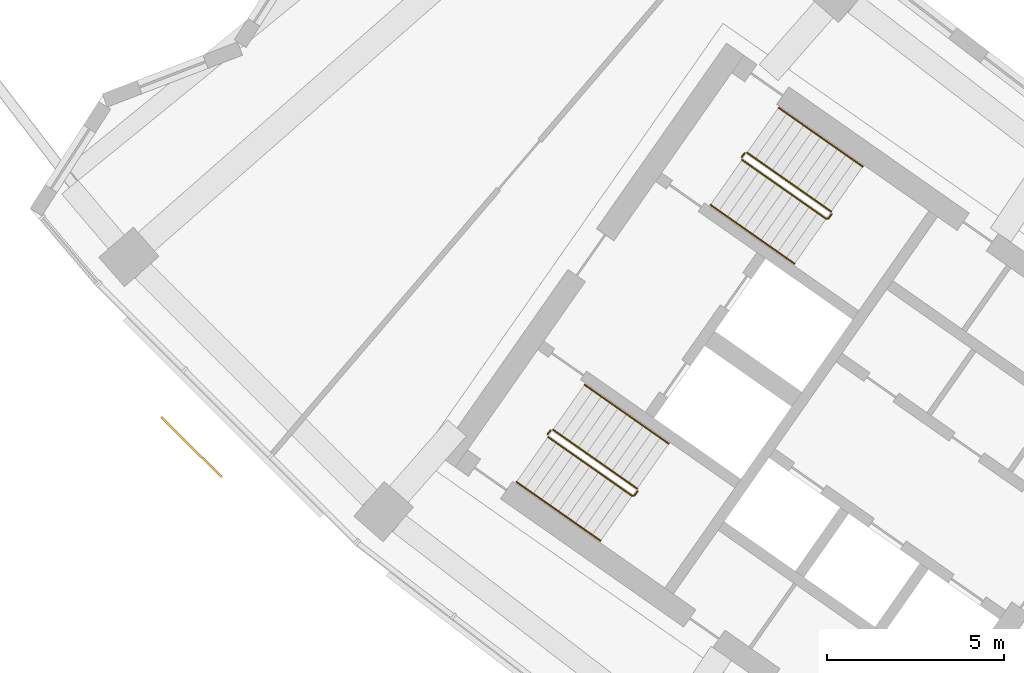
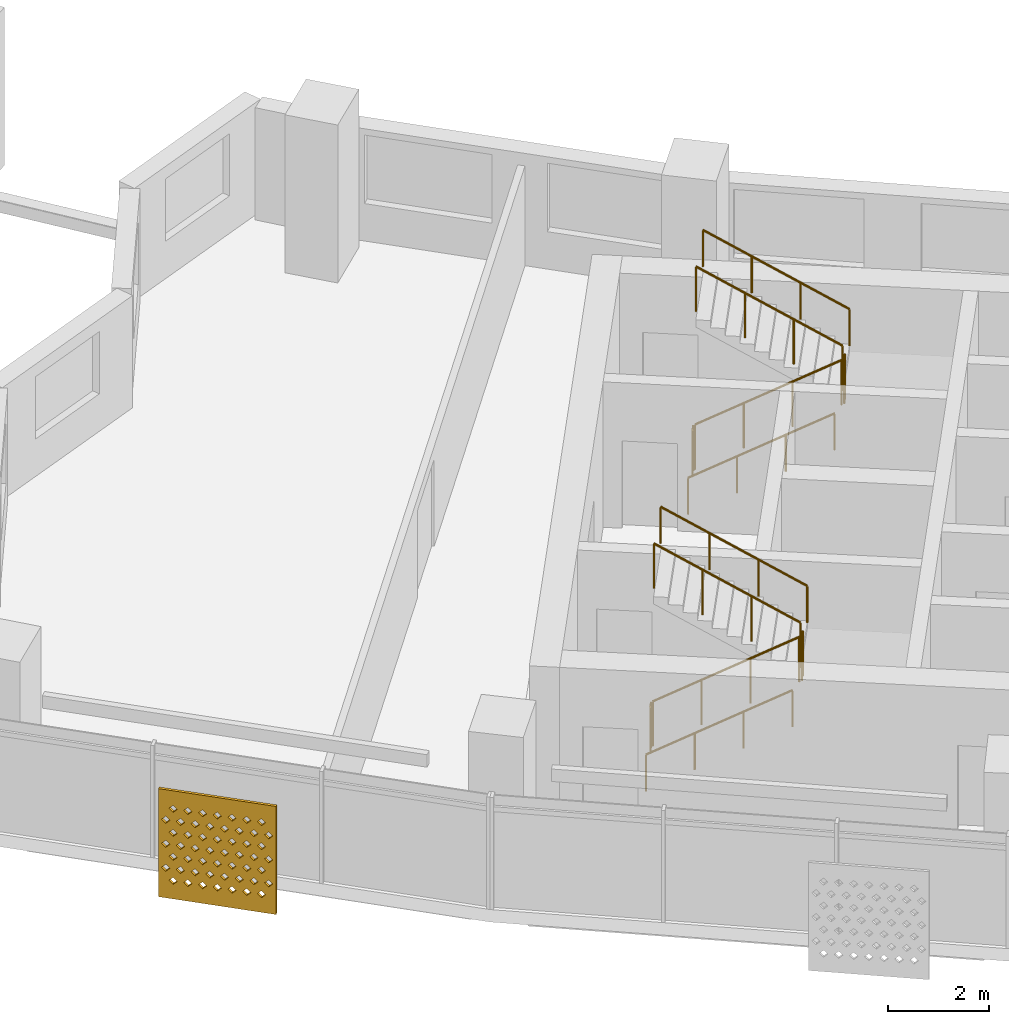
# One storey, part 23 of 27: 10 railings, 1 shading device.
"""IFC4 building model written with IfcOpenShell, lengths in metres."""

from ifc_helpers import new_model, si_unit, direction, frame, origin, origin_2d, place, context, subcontext, project, spatial, polyline, circle, outline, extrude, material, material_profile, profile_set, type_object, element, save


model = new_model("IFC4")

# Units and contexts
model_context = context("Model", 3, precision=1e-05, world=origin(), true_north=direction((0.0, 1.0)))
body_context = subcontext(model_context, "Body", "Model", "MODEL_VIEW")
ifc_project = project(units=[si_unit("LENGTHUNIT", "METRE"), si_unit("AREAUNIT", "SQUARE_METRE"), si_unit("VOLUMEUNIT", "CUBIC_METRE"), si_unit("PLANEANGLEUNIT", "RADIAN"), si_unit("MASSUNIT", "GRAM", prefix="KILO")], contexts=[model_context])

# Site, building, storey
site_placement = place(None, origin())
site = spatial("IfcSite", under=ifc_project, at=site_placement, CompositionType="ELEMENT")
building_placement = place(site_placement, origin())
building = spatial("IfcBuilding", under=site, at=building_placement, Name="Qamariyya Broadcast Tower", CompositionType="ELEMENT")
storey_placement = place(building_placement, frame((0.0, 0.0, 175.89990234375)))
storey = spatial("IfcBuildingStorey", under=building, at=storey_placement, Name="L41", CompositionType="ELEMENT", Elevation=175.89990234375)

# Shading device
ifc_material_1 = material(Name="Perforated glazed terracotta", Category="masonry")
ifc_material_profile = material_profile(ifc_material_1, outline(polyline([(-1.199951171875, -1.300048828125), (1.199951171875, -1.300048828125), (1.199951171875, 1.300048828125), (-1.199951171875, 1.300048828125), (-1.199951171875, -1.300048828125)]), holes=[polyline([(-0.81494140625, -0.86669921875), (-0.89990234375, -0.78173828125), (-0.985107421875, -0.86669921875), (-0.89990234375, -0.95166015625), (-0.81494140625, -0.86669921875)]), polyline([(-0.514892578125, -0.86669921875), (-0.60009765625, -0.78173828125), (-0.68505859375, -0.86669921875), (-0.60009765625, -0.95166015625), (-0.514892578125, -0.86669921875)]), polyline([(-0.215087890625, -0.86669921875), (-0.300048828125, -0.78173828125), (-0.385009765625, -0.86669921875), (-0.300048828125, -0.95166015625), (-0.215087890625, -0.86669921875)]), polyline([(0.0849609375, -0.86669921875), (0.0, -0.78173828125), (-0.0849609375, -0.86669921875), (0.0, -0.95166015625), (0.0849609375, -0.86669921875)]), polyline([(0.385009765625, -0.86669921875), (0.300048828125, -0.78173828125), (0.215087890625, -0.86669921875), (0.300048828125, -0.95166015625), (0.385009765625, -0.86669921875)]), polyline([(0.68505859375, -0.86669921875), (0.60009765625, -0.78173828125), (0.514892578125, -0.86669921875), (0.60009765625, -0.95166015625), (0.68505859375, -0.86669921875)]), polyline([(0.985107421875, -0.86669921875), (0.89990234375, -0.78173828125), (0.81494140625, -0.86669921875), (0.89990234375, -0.95166015625), (0.985107421875, -0.86669921875)]), polyline([(-0.965087890625, -0.577880859375), (-1.050048828125, -0.49267578125), (-1.135009765625, -0.577880859375), (-1.050048828125, -0.662841796875), (-0.965087890625, -0.577880859375)]), polyline([(-0.6650390625, -0.577880859375), (-0.75, -0.49267578125), (-0.8349609375, -0.577880859375), (-0.75, -0.662841796875), (-0.6650390625, -0.577880859375)]), polyline([(-0.364990234375, -0.577880859375), (-0.449951171875, -0.49267578125), (-0.534912109375, -0.577880859375), (-0.449951171875, -0.662841796875), (-0.364990234375, -0.577880859375)]), polyline([(-0.06494140625, -0.577880859375), (-0.14990234375, -0.49267578125), (-0.235107421875, -0.577880859375), (-0.14990234375, -0.662841796875), (-0.06494140625, -0.577880859375)]), polyline([(0.235107421875, -0.577880859375), (0.14990234375, -0.49267578125), (0.06494140625, -0.577880859375), (0.14990234375, -0.662841796875), (0.235107421875, -0.577880859375)]), polyline([(0.534912109375, -0.577880859375), (0.449951171875, -0.49267578125), (0.364990234375, -0.577880859375), (0.449951171875, -0.662841796875), (0.534912109375, -0.577880859375)]), polyline([(0.8349609375, -0.577880859375), (0.75, -0.49267578125), (0.6650390625, -0.577880859375), (0.75, -0.662841796875), (0.8349609375, -0.577880859375)]), polyline([(1.135009765625, -0.577880859375), (1.050048828125, -0.49267578125), (0.965087890625, -0.577880859375), (1.050048828125, -0.662841796875), (1.135009765625, -0.577880859375)]), polyline([(-0.81494140625, -0.288818359375), (-0.89990234375, -0.203857421875), (-0.985107421875, -0.288818359375), (-0.89990234375, -0.373779296875), (-0.81494140625, -0.288818359375)]), polyline([(-0.514892578125, -0.288818359375), (-0.60009765625, -0.203857421875), (-0.68505859375, -0.288818359375), (-0.60009765625, -0.373779296875), (-0.514892578125, -0.288818359375)]), polyline([(-0.215087890625, -0.288818359375), (-0.300048828125, -0.203857421875), (-0.385009765625, -0.288818359375), (-0.300048828125, -0.373779296875), (-0.215087890625, -0.288818359375)]), polyline([(0.0849609375, -0.288818359375), (0.0, -0.203857421875), (-0.0849609375, -0.288818359375), (0.0, -0.373779296875), (0.0849609375, -0.288818359375)]), polyline([(0.385009765625, -0.288818359375), (0.300048828125, -0.203857421875), (0.215087890625, -0.288818359375), (0.300048828125, -0.373779296875), (0.385009765625, -0.288818359375)]), polyline([(0.68505859375, -0.288818359375), (0.60009765625, -0.203857421875), (0.514892578125, -0.288818359375), (0.60009765625, -0.373779296875), (0.68505859375, -0.288818359375)]), polyline([(0.985107421875, -0.288818359375), (0.89990234375, -0.203857421875), (0.81494140625, -0.288818359375), (0.89990234375, -0.373779296875), (0.985107421875, -0.288818359375)]), polyline([(-0.965087890625, 0.0), (-1.050048828125, 0.0849609375), (-1.135009765625, 0.0), (-1.050048828125, -0.0849609375), (-0.965087890625, 0.0)]), polyline([(-0.6650390625, 0.0), (-0.75, 0.0849609375), (-0.8349609375, 0.0), (-0.75, -0.0849609375), (-0.6650390625, 0.0)]), polyline([(-0.364990234375, 0.0), (-0.449951171875, 0.0849609375), (-0.534912109375, 0.0), (-0.449951171875, -0.0849609375), (-0.364990234375, 0.0)]), polyline([(-0.06494140625, 0.0), (-0.14990234375, 0.0849609375), (-0.235107421875, 0.0), (-0.14990234375, -0.0849609375), (-0.06494140625, 0.0)]), polyline([(0.235107421875, 0.0), (0.14990234375, 0.0849609375), (0.06494140625, 0.0), (0.14990234375, -0.0849609375), (0.235107421875, 0.0)]), polyline([(0.534912109375, 0.0), (0.449951171875, 0.0849609375), (0.364990234375, 0.0), (0.449951171875, -0.0849609375), (0.534912109375, 0.0)]), polyline([(0.8349609375, 0.0), (0.75, 0.0849609375), (0.6650390625, 0.0), (0.75, -0.0849609375), (0.8349609375, 0.0)]), polyline([(1.135009765625, 0.0), (1.050048828125, 0.0849609375), (0.965087890625, 0.0), (1.050048828125, -0.0849609375), (1.135009765625, 0.0)]), polyline([(-0.81494140625, 0.288818359375), (-0.89990234375, 0.373779296875), (-0.985107421875, 0.288818359375), (-0.89990234375, 0.203857421875), (-0.81494140625, 0.288818359375)]), polyline([(-0.514892578125, 0.288818359375), (-0.60009765625, 0.373779296875), (-0.68505859375, 0.288818359375), (-0.60009765625, 0.203857421875), (-0.514892578125, 0.288818359375)]), polyline([(-0.215087890625, 0.288818359375), (-0.300048828125, 0.373779296875), (-0.385009765625, 0.288818359375), (-0.300048828125, 0.203857421875), (-0.215087890625, 0.288818359375)]), polyline([(0.0849609375, 0.288818359375), (0.0, 0.373779296875), (-0.0849609375, 0.288818359375), (0.0, 0.203857421875), (0.0849609375, 0.288818359375)]), polyline([(0.385009765625, 0.288818359375), (0.300048828125, 0.373779296875), (0.215087890625, 0.288818359375), (0.300048828125, 0.203857421875), (0.385009765625, 0.288818359375)]), polyline([(0.68505859375, 0.288818359375), (0.60009765625, 0.373779296875), (0.514892578125, 0.288818359375), (0.60009765625, 0.203857421875), (0.68505859375, 0.288818359375)]), polyline([(0.985107421875, 0.288818359375), (0.89990234375, 0.373779296875), (0.81494140625, 0.288818359375), (0.89990234375, 0.203857421875), (0.985107421875, 0.288818359375)]), polyline([(-0.965087890625, 0.577880859375), (-1.050048828125, 0.662841796875), (-1.135009765625, 0.577880859375), (-1.050048828125, 0.49267578125), (-0.965087890625, 0.577880859375)]), polyline([(-0.6650390625, 0.577880859375), (-0.75, 0.662841796875), (-0.8349609375, 0.577880859375), (-0.75, 0.49267578125), (-0.6650390625, 0.577880859375)]), polyline([(-0.364990234375, 0.577880859375), (-0.449951171875, 0.662841796875), (-0.534912109375, 0.577880859375), (-0.449951171875, 0.49267578125), (-0.364990234375, 0.577880859375)]), polyline([(-0.06494140625, 0.577880859375), (-0.14990234375, 0.662841796875), (-0.235107421875, 0.577880859375), (-0.14990234375, 0.49267578125), (-0.06494140625, 0.577880859375)]), polyline([(0.235107421875, 0.577880859375), (0.14990234375, 0.662841796875), (0.06494140625, 0.577880859375), (0.14990234375, 0.49267578125), (0.235107421875, 0.577880859375)]), polyline([(0.534912109375, 0.577880859375), (0.449951171875, 0.662841796875), (0.364990234375, 0.577880859375), (0.449951171875, 0.49267578125), (0.534912109375, 0.577880859375)]), polyline([(0.8349609375, 0.577880859375), (0.75, 0.662841796875), (0.6650390625, 0.577880859375), (0.75, 0.49267578125), (0.8349609375, 0.577880859375)]), polyline([(1.135009765625, 0.577880859375), (1.050048828125, 0.662841796875), (0.965087890625, 0.577880859375), (1.050048828125, 0.49267578125), (1.135009765625, 0.577880859375)]), polyline([(-0.81494140625, 0.86669921875), (-0.89990234375, 0.95166015625), (-0.985107421875, 0.86669921875), (-0.89990234375, 0.78173828125), (-0.81494140625, 0.86669921875)]), polyline([(-0.514892578125, 0.86669921875), (-0.60009765625, 0.95166015625), (-0.68505859375, 0.86669921875), (-0.60009765625, 0.78173828125), (-0.514892578125, 0.86669921875)]), polyline([(-0.215087890625, 0.86669921875), (-0.300048828125, 0.95166015625), (-0.385009765625, 0.86669921875), (-0.300048828125, 0.78173828125), (-0.215087890625, 0.86669921875)]), polyline([(0.0849609375, 0.86669921875), (0.0, 0.95166015625), (-0.0849609375, 0.86669921875), (0.0, 0.78173828125), (0.0849609375, 0.86669921875)]), polyline([(0.385009765625, 0.86669921875), (0.300048828125, 0.95166015625), (0.215087890625, 0.86669921875), (0.300048828125, 0.78173828125), (0.385009765625, 0.86669921875)]), polyline([(0.68505859375, 0.86669921875), (0.60009765625, 0.95166015625), (0.514892578125, 0.86669921875), (0.60009765625, 0.78173828125), (0.68505859375, 0.86669921875)]), polyline([(0.985107421875, 0.86669921875), (0.89990234375, 0.95166015625), (0.81494140625, 0.86669921875), (0.89990234375, 0.78173828125), (0.985107421875, 0.86669921875)])]))
ifc_profile_set = profile_set([ifc_material_profile], Name="Perforated glazed terracotta")
shading_device_type = type_object("IfcShadingDeviceType", Name="Perforated terracotta screen 2400 x 2600", PredefinedType="USERDEFINED", material=ifc_profile_set)
shading_device_placement = place(storey_placement, frame((-56.66943359375, -56.6103515625, 1.35009765625), z_axis=(-0.705066081692, -0.709141608176, 0.0), x_axis=(0.709141608176, -0.705066081692, 0.0)))
element("IfcShadingDevice", 1, at=shading_device_placement, inside=storey, type_object=shading_device_type, Name="e-scr-L41-01-1", ObjectType="SCREEN", PredefinedType="USERDEFINED", context=body_context, shape_type="SweptSolid", body=[
    extrude(outline(polyline([(-1.199951171875, -1.300048828125), (1.199951171875, -1.300048828125), (1.199951171875, 1.300048828125), (-1.199951171875, 1.300048828125), (-1.199951171875, -1.300048828125)]), holes=[polyline([(-0.81494140625, -0.86669921875), (-0.89990234375, -0.78173828125), (-0.985107421875, -0.86669921875), (-0.89990234375, -0.95166015625), (-0.81494140625, -0.86669921875)]), polyline([(-0.514892578125, -0.86669921875), (-0.60009765625, -0.78173828125), (-0.68505859375, -0.86669921875), (-0.60009765625, -0.95166015625), (-0.514892578125, -0.86669921875)]), polyline([(-0.215087890625, -0.86669921875), (-0.300048828125, -0.78173828125), (-0.385009765625, -0.86669921875), (-0.300048828125, -0.95166015625), (-0.215087890625, -0.86669921875)]), polyline([(0.0849609375, -0.86669921875), (0.0, -0.78173828125), (-0.0849609375, -0.86669921875), (0.0, -0.95166015625), (0.0849609375, -0.86669921875)]), polyline([(0.385009765625, -0.86669921875), (0.300048828125, -0.78173828125), (0.215087890625, -0.86669921875), (0.300048828125, -0.95166015625), (0.385009765625, -0.86669921875)]), polyline([(0.68505859375, -0.86669921875), (0.60009765625, -0.78173828125), (0.514892578125, -0.86669921875), (0.60009765625, -0.95166015625), (0.68505859375, -0.86669921875)]), polyline([(0.985107421875, -0.86669921875), (0.89990234375, -0.78173828125), (0.81494140625, -0.86669921875), (0.89990234375, -0.95166015625), (0.985107421875, -0.86669921875)]), polyline([(-0.965087890625, -0.577880859375), (-1.050048828125, -0.49267578125), (-1.135009765625, -0.577880859375), (-1.050048828125, -0.662841796875), (-0.965087890625, -0.577880859375)]), polyline([(-0.6650390625, -0.577880859375), (-0.75, -0.49267578125), (-0.8349609375, -0.577880859375), (-0.75, -0.662841796875), (-0.6650390625, -0.577880859375)]), polyline([(-0.364990234375, -0.577880859375), (-0.449951171875, -0.49267578125), (-0.534912109375, -0.577880859375), (-0.449951171875, -0.662841796875), (-0.364990234375, -0.577880859375)]), polyline([(-0.06494140625, -0.577880859375), (-0.14990234375, -0.49267578125), (-0.235107421875, -0.577880859375), (-0.14990234375, -0.662841796875), (-0.06494140625, -0.577880859375)]), polyline([(0.235107421875, -0.577880859375), (0.14990234375, -0.49267578125), (0.06494140625, -0.577880859375), (0.14990234375, -0.662841796875), (0.235107421875, -0.577880859375)]), polyline([(0.534912109375, -0.577880859375), (0.449951171875, -0.49267578125), (0.364990234375, -0.577880859375), (0.449951171875, -0.662841796875), (0.534912109375, -0.577880859375)]), polyline([(0.8349609375, -0.577880859375), (0.75, -0.49267578125), (0.6650390625, -0.577880859375), (0.75, -0.662841796875), (0.8349609375, -0.577880859375)]), polyline([(1.135009765625, -0.577880859375), (1.050048828125, -0.49267578125), (0.965087890625, -0.577880859375), (1.050048828125, -0.662841796875), (1.135009765625, -0.577880859375)]), polyline([(-0.81494140625, -0.288818359375), (-0.89990234375, -0.203857421875), (-0.985107421875, -0.288818359375), (-0.89990234375, -0.373779296875), (-0.81494140625, -0.288818359375)]), polyline([(-0.514892578125, -0.288818359375), (-0.60009765625, -0.203857421875), (-0.68505859375, -0.288818359375), (-0.60009765625, -0.373779296875), (-0.514892578125, -0.288818359375)]), polyline([(-0.215087890625, -0.288818359375), (-0.300048828125, -0.203857421875), (-0.385009765625, -0.288818359375), (-0.300048828125, -0.373779296875), (-0.215087890625, -0.288818359375)]), polyline([(0.0849609375, -0.288818359375), (0.0, -0.203857421875), (-0.0849609375, -0.288818359375), (0.0, -0.373779296875), (0.0849609375, -0.288818359375)]), polyline([(0.385009765625, -0.288818359375), (0.300048828125, -0.203857421875), (0.215087890625, -0.288818359375), (0.300048828125, -0.373779296875), (0.385009765625, -0.288818359375)]), polyline([(0.68505859375, -0.288818359375), (0.60009765625, -0.203857421875), (0.514892578125, -0.288818359375), (0.60009765625, -0.373779296875), (0.68505859375, -0.288818359375)]), polyline([(0.985107421875, -0.288818359375), (0.89990234375, -0.203857421875), (0.81494140625, -0.288818359375), (0.89990234375, -0.373779296875), (0.985107421875, -0.288818359375)]), polyline([(-0.965087890625, 0.0), (-1.050048828125, 0.0849609375), (-1.135009765625, 0.0), (-1.050048828125, -0.0849609375), (-0.965087890625, 0.0)]), polyline([(-0.6650390625, 0.0), (-0.75, 0.0849609375), (-0.8349609375, 0.0), (-0.75, -0.0849609375), (-0.6650390625, 0.0)]), polyline([(-0.364990234375, 0.0), (-0.449951171875, 0.0849609375), (-0.534912109375, 0.0), (-0.449951171875, -0.0849609375), (-0.364990234375, 0.0)]), polyline([(-0.06494140625, 0.0), (-0.14990234375, 0.0849609375), (-0.235107421875, 0.0), (-0.14990234375, -0.0849609375), (-0.06494140625, 0.0)]), polyline([(0.235107421875, 0.0), (0.14990234375, 0.0849609375), (0.06494140625, 0.0), (0.14990234375, -0.0849609375), (0.235107421875, 0.0)]), polyline([(0.534912109375, 0.0), (0.449951171875, 0.0849609375), (0.364990234375, 0.0), (0.449951171875, -0.0849609375), (0.534912109375, 0.0)]), polyline([(0.8349609375, 0.0), (0.75, 0.0849609375), (0.6650390625, 0.0), (0.75, -0.0849609375), (0.8349609375, 0.0)]), polyline([(1.135009765625, 0.0), (1.050048828125, 0.0849609375), (0.965087890625, 0.0), (1.050048828125, -0.0849609375), (1.135009765625, 0.0)]), polyline([(-0.81494140625, 0.288818359375), (-0.89990234375, 0.373779296875), (-0.985107421875, 0.288818359375), (-0.89990234375, 0.203857421875), (-0.81494140625, 0.288818359375)]), polyline([(-0.514892578125, 0.288818359375), (-0.60009765625, 0.373779296875), (-0.68505859375, 0.288818359375), (-0.60009765625, 0.203857421875), (-0.514892578125, 0.288818359375)]), polyline([(-0.215087890625, 0.288818359375), (-0.300048828125, 0.373779296875), (-0.385009765625, 0.288818359375), (-0.300048828125, 0.203857421875), (-0.215087890625, 0.288818359375)]), polyline([(0.0849609375, 0.288818359375), (0.0, 0.373779296875), (-0.0849609375, 0.288818359375), (0.0, 0.203857421875), (0.0849609375, 0.288818359375)]), polyline([(0.385009765625, 0.288818359375), (0.300048828125, 0.373779296875), (0.215087890625, 0.288818359375), (0.300048828125, 0.203857421875), (0.385009765625, 0.288818359375)]), polyline([(0.68505859375, 0.288818359375), (0.60009765625, 0.373779296875), (0.514892578125, 0.288818359375), (0.60009765625, 0.203857421875), (0.68505859375, 0.288818359375)]), polyline([(0.985107421875, 0.288818359375), (0.89990234375, 0.373779296875), (0.81494140625, 0.288818359375), (0.89990234375, 0.203857421875), (0.985107421875, 0.288818359375)]), polyline([(-0.965087890625, 0.577880859375), (-1.050048828125, 0.662841796875), (-1.135009765625, 0.577880859375), (-1.050048828125, 0.49267578125), (-0.965087890625, 0.577880859375)]), polyline([(-0.6650390625, 0.577880859375), (-0.75, 0.662841796875), (-0.8349609375, 0.577880859375), (-0.75, 0.49267578125), (-0.6650390625, 0.577880859375)]), polyline([(-0.364990234375, 0.577880859375), (-0.449951171875, 0.662841796875), (-0.534912109375, 0.577880859375), (-0.449951171875, 0.49267578125), (-0.364990234375, 0.577880859375)]), polyline([(-0.06494140625, 0.577880859375), (-0.14990234375, 0.662841796875), (-0.235107421875, 0.577880859375), (-0.14990234375, 0.49267578125), (-0.06494140625, 0.577880859375)]), polyline([(0.235107421875, 0.577880859375), (0.14990234375, 0.662841796875), (0.06494140625, 0.577880859375), (0.14990234375, 0.49267578125), (0.235107421875, 0.577880859375)]), polyline([(0.534912109375, 0.577880859375), (0.449951171875, 0.662841796875), (0.364990234375, 0.577880859375), (0.449951171875, 0.49267578125), (0.534912109375, 0.577880859375)]), polyline([(0.8349609375, 0.577880859375), (0.75, 0.662841796875), (0.6650390625, 0.577880859375), (0.75, 0.49267578125), (0.8349609375, 0.577880859375)]), polyline([(1.135009765625, 0.577880859375), (1.050048828125, 0.662841796875), (0.965087890625, 0.577880859375), (1.050048828125, 0.49267578125), (1.135009765625, 0.577880859375)]), polyline([(-0.81494140625, 0.86669921875), (-0.89990234375, 0.95166015625), (-0.985107421875, 0.86669921875), (-0.89990234375, 0.78173828125), (-0.81494140625, 0.86669921875)]), polyline([(-0.514892578125, 0.86669921875), (-0.60009765625, 0.95166015625), (-0.68505859375, 0.86669921875), (-0.60009765625, 0.78173828125), (-0.514892578125, 0.86669921875)]), polyline([(-0.215087890625, 0.86669921875), (-0.300048828125, 0.95166015625), (-0.385009765625, 0.86669921875), (-0.300048828125, 0.78173828125), (-0.215087890625, 0.86669921875)]), polyline([(0.0849609375, 0.86669921875), (0.0, 0.95166015625), (-0.0849609375, 0.86669921875), (0.0, 0.78173828125), (0.0849609375, 0.86669921875)]), polyline([(0.385009765625, 0.86669921875), (0.300048828125, 0.95166015625), (0.215087890625, 0.86669921875), (0.300048828125, 0.78173828125), (0.385009765625, 0.86669921875)]), polyline([(0.68505859375, 0.86669921875), (0.60009765625, 0.95166015625), (0.514892578125, 0.86669921875), (0.60009765625, 0.78173828125), (0.68505859375, 0.86669921875)]), polyline([(0.985107421875, 0.86669921875), (0.89990234375, 0.95166015625), (0.81494140625, 0.86669921875), (0.89990234375, 0.78173828125), (0.985107421875, 0.86669921875)])]), origin(), (0.0, 0.0, 1.0), 0.059814453125),
])

# Railings
ifc_material_2 = material(Name="Painted steel", Category="steel")
railing_type_1 = type_object("IfcRailingType", Name="Stair guard", PredefinedType="GUARDRAIL", material=ifc_material_2)
railing_1_placement = place(storey_placement, frame((-41.146728515625, -48.52490234375, 0.1728515625)))
element("IfcRailing", 2, at=railing_1_placement, inside=storey, type_object=railing_type_1, Name="L41 ST-W2 stair guard 1", PredefinedType="GUARDRAIL", context=body_context, shape_type="SweptSolid", body=[
    extrude(circle(Radius=0.02392578125, at=origin_2d()), frame((0.0, 0.0, 1.076171875), z_axis=(0.703770094002, -0.492783725636, 0.511734163933), x_axis=(0.573575343427, 0.819152809562, 0.0)), (0.0, 0.0, 1.0), 3.37548828125),
    extrude(circle(Radius=0.02392578125, at=origin_2d()), frame((2.37548828125, -1.663330078125, 2.80322265625), z_axis=(0.985059694769, 0.172213233351, 0.0), x_axis=(-0.172213233351, 0.985059694769, 0.0)), (0.0, 0.0, 1.0), 0.07080078125),
    extrude(circle(Radius=0.02392578125, at=origin_2d()), frame((2.4453125, -1.651123046875, 2.80322265625), z_axis=(0.572588637393, 0.819842821722, 0.0), x_axis=(-0.819842821722, 0.572588637393, 0.0)), (0.0, 0.0, 1.0), 0.150146484375),
    extrude(circle(Radius=0.02099609375, at=origin_2d()), origin(), (0.0, 0.0, 1.0), 1.052001953125),
    extrude(circle(Radius=0.02099609375, at=origin_2d()), frame((0.791748046875, -0.554443359375, 0.57568359375)), (0.0, 0.0, 1.0), 1.052001953125),
    extrude(circle(Radius=0.02099609375, at=origin_2d()), frame((1.583740234375, -1.10888671875, 1.151611328125)), (0.0, 0.0, 1.0), 1.052001953125),
    extrude(circle(Radius=0.02099609375, at=origin_2d()), frame((2.37548828125, -1.663330078125, 1.727294921875)), (0.0, 0.0, 1.0), 1.052001953125),
    extrude(circle(Radius=0.02099609375, at=origin_2d()), frame((2.4453125, -1.651123046875, 1.727294921875)), (0.0, 0.0, 1.0), 1.052001953125),
    extrude(circle(Radius=0.02099609375, at=origin_2d()), frame((2.53125, -1.528076171875, 1.727294921875)), (0.0, 0.0, 1.0), 1.052001953125),
])
railing_2_placement = place(storey_placement, frame((-38.627685546875, -49.9833984375, 2.07275390625)))
element("IfcRailing", 3, at=railing_2_placement, inside=storey, type_object=railing_type_1, Name="L41 ST-W2 stair guard 2", PredefinedType="GUARDRAIL", context=body_context, shape_type="SweptSolid", body=[
    extrude(circle(Radius=0.02392578125, at=origin_2d()), frame((0.0, 0.0, 1.076171875), z_axis=(-0.703770094002, 0.492783725636, 0.511734163933), x_axis=(-0.573575343427, -0.819152809562, 0.0)), (0.0, 0.0, 1.0), 3.37548828125),
    extrude(circle(Radius=0.02099609375, at=origin_2d()), origin(), (0.0, 0.0, 1.0), 1.052001953125),
    extrude(circle(Radius=0.02099609375, at=origin_2d()), frame((-0.791748046875, 0.554443359375, 0.57568359375)), (0.0, 0.0, 1.0), 1.052001953125),
    extrude(circle(Radius=0.02099609375, at=origin_2d()), frame((-1.583740234375, 1.10888671875, 1.151611328125)), (0.0, 0.0, 1.0), 1.052001953125),
    extrude(circle(Radius=0.02099609375, at=origin_2d()), frame((-2.37548828125, 1.663330078125, 1.727294921875)), (0.0, 0.0, 1.0), 1.052001953125),
])
railing_3_placement = place(storey_placement, frame((-41.158935546875, -48.455322265625, 0.0)))
element("IfcRailing", 4, at=railing_3_placement, inside=storey, type_object=railing_type_1, Name="L41 ST-W2 stair guard 3", PredefinedType="GUARDRAIL", context=body_context, shape_type="SweptSolid", body=[
    extrude(circle(Radius=0.02392578125, at=origin_2d()), frame((0.0, 0.0, 1.076171875), z_axis=(0.572588637393, 0.819842821722, 0.0), x_axis=(-0.819842821722, 0.572588637393, 0.0)), (0.0, 0.0, 1.0), 0.150146484375),
    extrude(circle(Radius=0.02099609375, at=origin_2d()), origin(), (0.0, 0.0, 1.0), 1.052001953125),
    extrude(circle(Radius=0.02099609375, at=origin_2d()), frame((0.0859375, 0.123046875, 0.0)), (0.0, 0.0, 1.0), 1.052001953125),
])
railing_4_placement = place(storey_placement, frame((-46.624267578125, -56.34765625, 0.1728515625)))
element("IfcRailing", 5, at=railing_4_placement, inside=storey, type_object=railing_type_1, Name="L41 ST-W1 stair guard 1", PredefinedType="GUARDRAIL", context=body_context, shape_type="SweptSolid", body=[
    extrude(circle(Radius=0.02392578125, at=origin_2d()), frame((0.0, 0.0, 1.076171875), z_axis=(0.703745009021, -0.492838488332, 0.511715923826), x_axis=(0.573631830683, 0.819113253969, 0.0)), (0.0, 0.0, 1.0), 3.37548828125),
    extrude(circle(Radius=0.02392578125, at=origin_2d()), frame((2.37548828125, -1.66357421875, 2.80322265625), z_axis=(0.984363469884, 0.176149252506, 0.0), x_axis=(-0.176149252506, 0.984363469884, 0.0)), (0.0, 0.0, 1.0), 0.07080078125),
    extrude(circle(Radius=0.02392578125, at=origin_2d()), frame((2.445068359375, -1.651123046875, 2.80322265625), z_axis=(0.574444878118, 0.818543268254, 0.0), x_axis=(-0.818543268254, 0.574444878118, 0.0)), (0.0, 0.0, 1.0), 0.150146484375),
    extrude(circle(Radius=0.02099609375, at=origin_2d()), origin(), (0.0, 0.0, 1.0), 1.052001953125),
    extrude(circle(Radius=0.02099609375, at=origin_2d()), frame((0.791748046875, -0.554443359375, 0.57568359375)), (0.0, 0.0, 1.0), 1.052001953125),
    extrude(circle(Radius=0.02099609375, at=origin_2d()), frame((1.583740234375, -1.109130859375, 1.151611328125)), (0.0, 0.0, 1.0), 1.052001953125),
    extrude(circle(Radius=0.02099609375, at=origin_2d()), frame((2.37548828125, -1.66357421875, 1.727294921875)), (0.0, 0.0, 1.0), 1.052001953125),
    extrude(circle(Radius=0.02099609375, at=origin_2d()), frame((2.445068359375, -1.651123046875, 1.727294921875)), (0.0, 0.0, 1.0), 1.052001953125),
    extrude(circle(Radius=0.02099609375, at=origin_2d()), frame((2.53125, -1.5283203125, 1.727294921875)), (0.0, 0.0, 1.0), 1.052001953125),
])
railing_5_placement = place(storey_placement, frame((-44.10546875, -57.806396484375, 2.07275390625)))
element("IfcRailing", 6, at=railing_5_placement, inside=storey, type_object=railing_type_1, Name="L41 ST-W1 stair guard 2", PredefinedType="GUARDRAIL", context=body_context, shape_type="SweptSolid", body=[
    extrude(circle(Radius=0.02392578125, at=origin_2d()), frame((0.0, 0.0, 1.076171875), z_axis=(-0.703770094002, 0.492783725636, 0.511734163933), x_axis=(-0.573575343427, -0.819152809562, 0.0)), (0.0, 0.0, 1.0), 3.37548828125),
    extrude(circle(Radius=0.02099609375, at=origin_2d()), origin(), (0.0, 0.0, 1.0), 1.052001953125),
    extrude(circle(Radius=0.02099609375, at=origin_2d()), frame((-0.791748046875, 0.554443359375, 0.57568359375)), (0.0, 0.0, 1.0), 1.052001953125),
    extrude(circle(Radius=0.02099609375, at=origin_2d()), frame((-1.583740234375, 1.10888671875, 1.151611328125)), (0.0, 0.0, 1.0), 1.052001953125),
    extrude(circle(Radius=0.02099609375, at=origin_2d()), frame((-2.37548828125, 1.663330078125, 1.727294921875)), (0.0, 0.0, 1.0), 1.052001953125),
])
railing_6_placement = place(storey_placement, frame((-46.63671875, -56.278076171875, 0.0)))
element("IfcRailing", 7, at=railing_6_placement, inside=storey, type_object=railing_type_1, Name="L41 ST-W1 stair guard 3", PredefinedType="GUARDRAIL", context=body_context, shape_type="SweptSolid", body=[
    extrude(circle(Radius=0.02392578125, at=origin_2d()), frame((0.0, 0.0, 1.076171875), z_axis=(0.574444878118, 0.818543268254, 0.0), x_axis=(-0.818543268254, 0.574444878118, 0.0)), (0.0, 0.0, 1.0), 0.150146484375),
    extrude(circle(Radius=0.02099609375, at=origin_2d()), origin(), (0.0, 0.0, 1.0), 1.052001953125),
    extrude(circle(Radius=0.02099609375, at=origin_2d()), frame((0.086181640625, 0.122802734375, 0.0)), (0.0, 0.0, 1.0), 1.052001953125),
])
ifc_material_3 = material(Name="Stainless steel", Category="steel")
railing_type_2 = type_object("IfcRailingType", Name="Stair handrail", PredefinedType="HANDRAIL", material=ifc_material_3)
railing_7_placement = place(storey_placement, frame((-42.03564453125, -49.79443359375, 0.1728515625)))
element("IfcRailing", 8, at=railing_7_placement, inside=storey, type_object=railing_type_2, Name="L41 ST-W2 stair handrail 1", PredefinedType="HANDRAIL", context=body_context, shape_type="SweptSolid", body=[
    extrude(circle(Radius=0.02392578125, at=origin_2d()), frame((0.0, 0.0, 0.8759765625), z_axis=(0.703745009021, -0.492838488332, 0.511715923826), x_axis=(0.573631830683, 0.819113253969, 0.0)), (0.0, 0.0, 1.0), 3.37548828125),
    extrude(circle(Radius=0.02099609375, at=origin_2d()), origin(), (0.0, 0.0, 1.0), 0.851806640625),
    extrude(circle(Radius=0.02099609375, at=origin_2d()), frame((0.791748046875, -0.554443359375, 0.57568359375)), (0.0, 0.0, 1.0), 0.851806640625),
    extrude(circle(Radius=0.02099609375, at=origin_2d()), frame((1.583740234375, -1.109130859375, 1.151611328125)), (0.0, 0.0, 1.0), 0.851806640625),
    extrude(circle(Radius=0.02099609375, at=origin_2d()), frame((2.37548828125, -1.66357421875, 1.727294921875)), (0.0, 0.0, 1.0), 0.851806640625),
])
railing_8_placement = place(storey_placement, frame((-37.73876953125, -48.7138671875, 2.07275390625)))
element("IfcRailing", 9, at=railing_8_placement, inside=storey, type_object=railing_type_2, Name="L41 ST-W2 stair handrail 2", PredefinedType="HANDRAIL", context=body_context, shape_type="SweptSolid", body=[
    extrude(circle(Radius=0.02392578125, at=origin_2d()), frame((0.0, 0.0, 0.8759765625), z_axis=(-0.703745009021, 0.492838488332, 0.511715923826), x_axis=(-0.573631830683, -0.819113253969, 0.0)), (0.0, 0.0, 1.0), 3.37548828125),
    extrude(circle(Radius=0.02099609375, at=origin_2d()), origin(), (0.0, 0.0, 1.0), 0.851806640625),
    extrude(circle(Radius=0.02099609375, at=origin_2d()), frame((-0.791748046875, 0.554443359375, 0.57568359375)), (0.0, 0.0, 1.0), 0.851806640625),
    extrude(circle(Radius=0.02099609375, at=origin_2d()), frame((-1.583740234375, 1.109130859375, 1.151611328125)), (0.0, 0.0, 1.0), 0.851806640625),
    extrude(circle(Radius=0.02099609375, at=origin_2d()), frame((-2.37548828125, 1.66357421875, 1.727294921875)), (0.0, 0.0, 1.0), 0.851806640625),
])
railing_9_placement = place(storey_placement, frame((-47.513427734375, -57.617431640625, 0.1728515625)))
element("IfcRailing", 10, at=railing_9_placement, inside=storey, type_object=railing_type_2, Name="L41 ST-W1 stair handrail 1", PredefinedType="HANDRAIL", context=body_context, shape_type="SweptSolid", body=[
    extrude(circle(Radius=0.02392578125, at=origin_2d()), frame((0.0, 0.0, 0.8759765625), z_axis=(0.703770094002, -0.492783725636, 0.511734163933), x_axis=(0.573575343427, 0.819152809562, 0.0)), (0.0, 0.0, 1.0), 3.37548828125),
    extrude(circle(Radius=0.02099609375, at=origin_2d()), origin(), (0.0, 0.0, 1.0), 0.851806640625),
    extrude(circle(Radius=0.02099609375, at=origin_2d()), frame((0.791748046875, -0.554443359375, 0.57568359375)), (0.0, 0.0, 1.0), 0.851806640625),
    extrude(circle(Radius=0.02099609375, at=origin_2d()), frame((1.583740234375, -1.10888671875, 1.151611328125)), (0.0, 0.0, 1.0), 0.851806640625),
    extrude(circle(Radius=0.02099609375, at=origin_2d()), frame((2.37548828125, -1.663330078125, 1.727294921875)), (0.0, 0.0, 1.0), 0.851806640625),
])
railing_10_placement = place(storey_placement, frame((-43.21630859375, -56.53662109375, 2.07275390625)))
element("IfcRailing", 11, at=railing_10_placement, inside=storey, type_object=railing_type_2, Name="L41 ST-W1 stair handrail 2", PredefinedType="HANDRAIL", context=body_context, shape_type="SweptSolid", body=[
    extrude(circle(Radius=0.02392578125, at=origin_2d()), frame((0.0, 0.0, 0.8759765625), z_axis=(-0.703770094002, 0.492783725636, 0.511734163933), x_axis=(-0.573575343427, -0.819152809562, 0.0)), (0.0, 0.0, 1.0), 3.37548828125),
    extrude(circle(Radius=0.02099609375, at=origin_2d()), origin(), (0.0, 0.0, 1.0), 0.851806640625),
    extrude(circle(Radius=0.02099609375, at=origin_2d()), frame((-0.791748046875, 0.554443359375, 0.57568359375)), (0.0, 0.0, 1.0), 0.851806640625),
    extrude(circle(Radius=0.02099609375, at=origin_2d()), frame((-1.583740234375, 1.10888671875, 1.151611328125)), (0.0, 0.0, 1.0), 0.851806640625),
    extrude(circle(Radius=0.02099609375, at=origin_2d()), frame((-2.37548828125, 1.663330078125, 1.727294921875)), (0.0, 0.0, 1.0), 0.851806640625),
])

save(model, "model.ifc")
